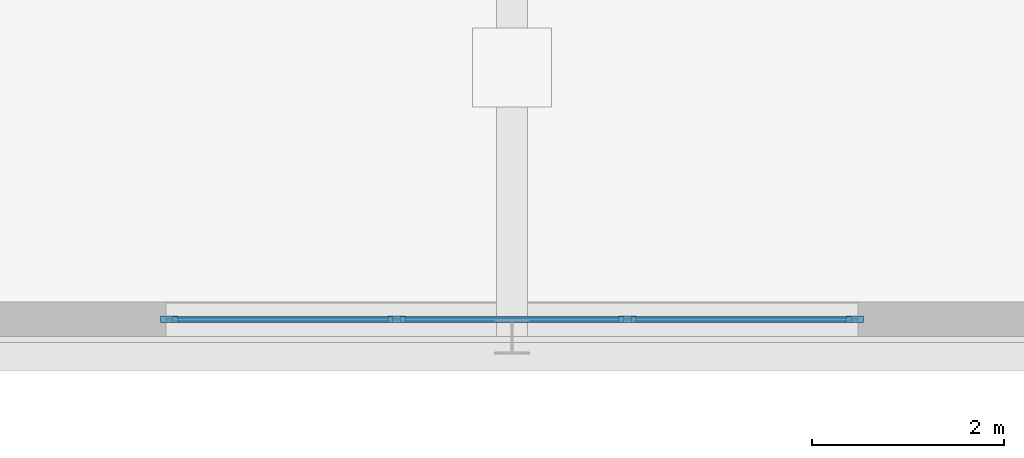
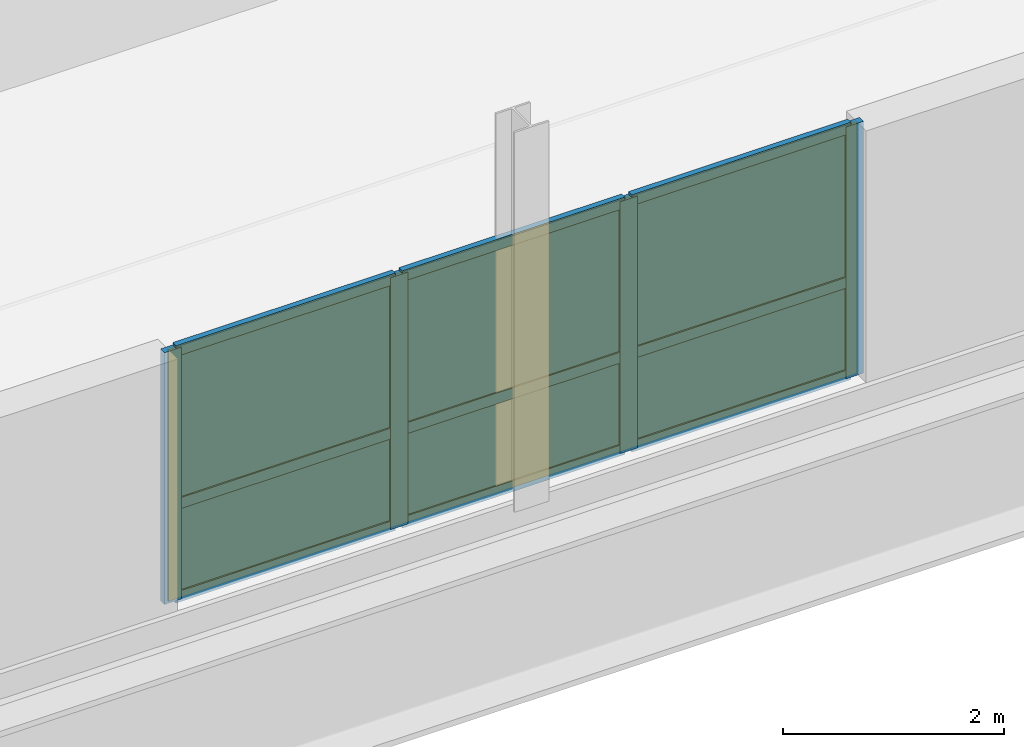
# One storey, part 10 of 17: 13 members, 6 plates, 1 curtain wall.
"""IFC4 building model written with IfcOpenShell, lengths in metres."""

from ifc_helpers import new_model, si_unit, direction, frame, frame_2d, origin, origin_2d, place, context, subcontext, project, spatial, rectangle, extrude, source, transform, mapped, material, layer, layer_set, material_profile, profile_set, type_object, type_shapes, element, aggregate, save


model = new_model("IFC4")

# Units and contexts
model_context = context("Model", 3, precision=1e-05, world=origin(), true_north=direction((0.0, 1.0)))
body_context = subcontext(model_context, "Body", "Model", "MODEL_VIEW")
ifc_project = project(units=[si_unit("LENGTHUNIT", "METRE"), si_unit("AREAUNIT", "SQUARE_METRE"), si_unit("VOLUMEUNIT", "CUBIC_METRE"), si_unit("PLANEANGLEUNIT", "RADIAN"), si_unit("MASSUNIT", "GRAM", prefix="KILO")], contexts=[model_context])

# Member
ifc_material_1 = material(Name="Anodised aluminium 6063-T6", Category="aluminium")
ifc_material_profile_1 = material_profile(ifc_material_1, rectangle(XDim=0.070068359375, YDim=0.179931640625, at=origin_2d()), Name="ALU-MULL-70x180")
ifc_profile_set_1 = profile_set([ifc_material_profile_1], Name="Anodised aluminium 6063-T6")
member_type_1 = type_object("IfcMemberType", Name="CWM-2", PredefinedType="MULLION", material=ifc_profile_set_1)
site_placement = place(None, origin())
building_placement = place(site_placement, origin())
storey_placement = place(building_placement, frame((0.0, 0.0, 23.0)))
member_1_placement = place(storey_placement, frame((-3.56494140625, -25.820068359375, 0.0), z_axis=(0.0, 0.0, 1.0), x_axis=(0.0, 1.0, 0.0)))
member_1 = element("IfcMember", 1, at=member_1_placement, type_object=member_type_1, Name="CWS-2 mullion 1", PredefinedType="MULLION", context=body_context, shape_type="SweptSolid", body=[
    extrude(rectangle(XDim=0.070068359375, YDim=0.179931640625, at=origin_2d()), origin(), (0.0, 0.0, 1.0), 2.784912109375),
])

member_2_placement = place(storey_placement, frame((-1.199951171875, -25.820068359375, 0.0), z_axis=(0.0, 0.0, 1.0), x_axis=(0.0, 1.0, 0.0)))
member_2 = element("IfcMember", 2, at=member_2_placement, type_object=member_type_1, Name="CWS-2 mullion 2", PredefinedType="MULLION", context=body_context, shape_type="SweptSolid", body=[
    extrude(rectangle(XDim=0.070068359375, YDim=0.179931640625, at=origin_2d()), origin(), (0.0, 0.0, 1.0), 2.784912109375),
])

member_3_placement = place(storey_placement, frame((1.199951171875, -25.820068359375, 0.0), z_axis=(0.0, 0.0, 1.0), x_axis=(0.0, 1.0, 0.0)))
member_3 = element("IfcMember", 3, at=member_3_placement, type_object=member_type_1, Name="CWS-2 mullion 3", PredefinedType="MULLION", context=body_context, shape_type="SweptSolid", body=[
    extrude(rectangle(XDim=0.070068359375, YDim=0.179931640625, at=origin_2d()), origin(), (0.0, 0.0, 1.0), 2.784912109375),
])

member_4_placement = place(storey_placement, frame((3.56494140625, -25.820068359375, 0.0), z_axis=(0.0, 0.0, 1.0), x_axis=(0.0, 1.0, 0.0)))
member_4 = element("IfcMember", 4, at=member_4_placement, type_object=member_type_1, Name="CWS-2 mullion 4", PredefinedType="MULLION", context=body_context, shape_type="SweptSolid", body=[
    extrude(rectangle(XDim=0.070068359375, YDim=0.179931640625, at=origin_2d()), origin(), (0.0, 0.0, 1.0), 2.784912109375),
])

ifc_material_profile_2 = material_profile(ifc_material_1, rectangle(XDim=0.06005859375, YDim=0.1201171875, at=origin_2d()), Name="ALU-TRAN-60x120")
ifc_profile_set_2 = profile_set([ifc_material_profile_2], Name="Anodised aluminium 6063-T6")
member_type_2 = type_object("IfcMemberType", Name="CWT-2", PredefinedType="USERDEFINED", material=ifc_profile_set_2)
member_5_placement = place(storey_placement, frame((-3.530029296875, -25.820068359375, 0.030029296875), z_axis=(1.0, 0.0, 0.0), x_axis=(0.0, 1.0, 0.0)))
member_5 = element("IfcMember", 5, at=member_5_placement, type_object=member_type_2, Name="CWS-2 transom 1.1", ObjectType="TRANSOM", PredefinedType="USERDEFINED", context=body_context, shape_type="SweptSolid", body=[
    extrude(rectangle(XDim=0.06005859375, YDim=0.1201171875, at=origin_2d()), origin(), (0.0, 0.0, 1.0), 2.294921875),
])

member_6_placement = place(storey_placement, frame((-3.530029296875, -25.820068359375, 1.058349609375), z_axis=(1.0, 0.0, 0.0), x_axis=(0.0, 1.0, 0.0)))
member_6 = element("IfcMember", 6, at=member_6_placement, type_object=member_type_2, Name="CWS-2 transom 1.2", ObjectType="TRANSOM", PredefinedType="USERDEFINED", context=body_context, shape_type="SweptSolid", body=[
    extrude(rectangle(XDim=0.06005859375, YDim=0.1201171875, at=origin_2d()), origin(), (0.0, 0.0, 1.0), 2.294921875),
])

member_7_placement = place(storey_placement, frame((-3.530029296875, -25.820068359375, 2.7548828125), z_axis=(1.0, 0.0, 0.0), x_axis=(0.0, 1.0, 0.0)))
member_7 = element("IfcMember", 7, at=member_7_placement, type_object=member_type_2, Name="CWS-2 transom 1.3", ObjectType="TRANSOM", PredefinedType="USERDEFINED", context=body_context, shape_type="SweptSolid", body=[
    extrude(rectangle(XDim=0.06005859375, YDim=0.1201171875, at=origin_2d()), origin(), (0.0, 0.0, 1.0), 2.294921875),
])

member_8_placement = place(storey_placement, frame((-1.1650390625, -25.820068359375, 0.030029296875), z_axis=(1.0, 0.0, 0.0), x_axis=(0.0, 1.0, 0.0)))
member_8 = element("IfcMember", 8, at=member_8_placement, type_object=member_type_2, Name="CWS-2 transom 2.1", ObjectType="TRANSOM", PredefinedType="USERDEFINED", context=body_context, shape_type="SweptSolid", body=[
    extrude(rectangle(XDim=0.06005859375, YDim=0.1201171875, at=origin_2d()), origin(), (0.0, 0.0, 1.0), 2.330078125),
])

member_9_placement = place(storey_placement, frame((-1.1650390625, -25.820068359375, 1.058349609375), z_axis=(1.0, 0.0, 0.0), x_axis=(0.0, 1.0, 0.0)))
member_9 = element("IfcMember", 9, at=member_9_placement, type_object=member_type_2, Name="CWS-2 transom 2.2", ObjectType="TRANSOM", PredefinedType="USERDEFINED", context=body_context, shape_type="SweptSolid", body=[
    extrude(rectangle(XDim=0.06005859375, YDim=0.1201171875, at=origin_2d()), origin(), (0.0, 0.0, 1.0), 2.330078125),
])

member_10_placement = place(storey_placement, frame((-1.1650390625, -25.820068359375, 2.7548828125), z_axis=(1.0, 0.0, 0.0), x_axis=(0.0, 1.0, 0.0)))
member_10 = element("IfcMember", 10, at=member_10_placement, type_object=member_type_2, Name="CWS-2 transom 2.3", ObjectType="TRANSOM", PredefinedType="USERDEFINED", context=body_context, shape_type="SweptSolid", body=[
    extrude(rectangle(XDim=0.06005859375, YDim=0.1201171875, at=origin_2d()), origin(), (0.0, 0.0, 1.0), 2.330078125),
])

member_11_placement = place(storey_placement, frame((1.235107421875, -25.820068359375, 0.030029296875), z_axis=(1.0, 0.0, 0.0), x_axis=(0.0, 1.0, 0.0)))
member_11 = element("IfcMember", 11, at=member_11_placement, type_object=member_type_2, Name="CWS-2 transom 3.1", ObjectType="TRANSOM", PredefinedType="USERDEFINED", context=body_context, shape_type="SweptSolid", body=[
    extrude(rectangle(XDim=0.06005859375, YDim=0.1201171875, at=origin_2d()), origin(), (0.0, 0.0, 1.0), 2.294921875),
])

member_12_placement = place(storey_placement, frame((1.235107421875, -25.820068359375, 1.058349609375), z_axis=(1.0, 0.0, 0.0), x_axis=(0.0, 1.0, 0.0)))
member_12 = element("IfcMember", 12, at=member_12_placement, type_object=member_type_2, Name="CWS-2 transom 3.2", ObjectType="TRANSOM", PredefinedType="USERDEFINED", context=body_context, shape_type="SweptSolid", body=[
    extrude(rectangle(XDim=0.06005859375, YDim=0.1201171875, at=origin_2d()), origin(), (0.0, 0.0, 1.0), 2.294921875),
])

member_13_placement = place(storey_placement, frame((1.235107421875, -25.820068359375, 2.7548828125), z_axis=(1.0, 0.0, 0.0), x_axis=(0.0, 1.0, 0.0)))
member_13 = element("IfcMember", 13, at=member_13_placement, type_object=member_type_2, Name="CWS-2 transom 3.3", ObjectType="TRANSOM", PredefinedType="USERDEFINED", context=body_context, shape_type="SweptSolid", body=[
    extrude(rectangle(XDim=0.06005859375, YDim=0.1201171875, at=origin_2d()), origin(), (0.0, 0.0, 1.0), 2.294921875),
])

# Plate
ifc_material_2 = material(Name="Insulated solar-control glass", Category="glass")
ifc_layer_1 = layer(ifc_material_2, 0.030029296875, Name="CWP-2")
ifc_layer_set_1 = layer_set([ifc_layer_1], Name="Insulated solar-control glass")
plate_type = type_object("IfcPlateType", Name="CWP-2", PredefinedType="CURTAIN_PANEL", material=ifc_layer_set_1)
shared_shape_1 = source(origin(), body_context, "Body", "SweptSolid", [
    extrude(rectangle(XDim=2.294921875, YDim=0.030029296875, at=origin_2d()), origin(), (0.0, 0.0, 1.0), 0.96826171875),
])
plate_1_placement = place(storey_placement, frame((-2.382568359375, -25.820068359375, 0.06005859375), z_axis=(0.0, 0.0, 1.0), x_axis=(1.0, 0.0, 0.0)))
plate_1 = element("IfcPlate", 14, at=plate_1_placement, type_object=plate_type, Name="CWS-2 panel 1.1", PredefinedType="CURTAIN_PANEL", context=body_context, shape_type="MappedRepresentation", body=[
    mapped(shared_shape_1, transform((0.0, 0.0, 0.0), scale=1.0)),
])

plate_2_placement = place(storey_placement, frame((2.382568359375, -25.820068359375, 0.06005859375), z_axis=(0.0, 0.0, 1.0), x_axis=(1.0, 0.0, 0.0)))
plate_2 = element("IfcPlate", 15, at=plate_2_placement, type_object=plate_type, Name="CWS-2 panel 3.1", PredefinedType="CURTAIN_PANEL", context=body_context, shape_type="MappedRepresentation", body=[
    mapped(shared_shape_1, transform((0.0, 0.0, 0.0), scale=1.0)),
])

shared_shape_2 = source(origin(), body_context, "Body", "SweptSolid", [
    extrude(rectangle(XDim=2.294921875, YDim=0.030029296875, at=origin_2d()), origin(), (0.0, 0.0, 1.0), 1.63671875),
])
plate_3_placement = place(storey_placement, frame((-2.382568359375, -25.820068359375, 1.08837890625), z_axis=(0.0, 0.0, 1.0), x_axis=(1.0, 0.0, 0.0)))
plate_3 = element("IfcPlate", 16, at=plate_3_placement, type_object=plate_type, Name="CWS-2 panel 1.2", PredefinedType="CURTAIN_PANEL", context=body_context, shape_type="MappedRepresentation", body=[
    mapped(shared_shape_2, transform((0.0, 0.0, 0.0), scale=1.0)),
])

plate_4_placement = place(storey_placement, frame((2.382568359375, -25.820068359375, 1.08837890625), z_axis=(0.0, 0.0, 1.0), x_axis=(1.0, 0.0, 0.0)))
plate_4 = element("IfcPlate", 17, at=plate_4_placement, type_object=plate_type, Name="CWS-2 panel 3.2", PredefinedType="CURTAIN_PANEL", context=body_context, shape_type="MappedRepresentation", body=[
    mapped(shared_shape_2, transform((0.0, 0.0, 0.0), scale=1.0)),
])

shared_shape_3 = source(origin(), body_context, "Body", "SweptSolid", [
    extrude(rectangle(XDim=2.330078125, YDim=0.030029296875, at=origin_2d()), origin(), (0.0, 0.0, 1.0), 0.96826171875),
])
plate_5_placement = place(storey_placement, frame((0.0, -25.820068359375, 0.06005859375), z_axis=(0.0, 0.0, 1.0), x_axis=(1.0, 0.0, 0.0)))
plate_5 = element("IfcPlate", 18, at=plate_5_placement, type_object=plate_type, Name="CWS-2 panel 2.1", PredefinedType="CURTAIN_PANEL", context=body_context, shape_type="MappedRepresentation", body=[
    mapped(shared_shape_3, transform((0.0, 0.0, 0.0), scale=1.0)),
])

shared_shape_4 = source(origin(), body_context, "Body", "SweptSolid", [
    extrude(rectangle(XDim=2.330078125, YDim=0.030029296875, at=origin_2d()), origin(), (0.0, 0.0, 1.0), 1.63671875),
])
type_shapes(plate_type, [shared_shape_1, shared_shape_2, shared_shape_3, shared_shape_4])
plate_6_placement = place(storey_placement, frame((0.0, -25.820068359375, 1.08837890625), z_axis=(0.0, 0.0, 1.0), x_axis=(1.0, 0.0, 0.0)))
plate_6 = element("IfcPlate", 19, at=plate_6_placement, type_object=plate_type, Name="CWS-2 panel 2.2", PredefinedType="CURTAIN_PANEL", context=body_context, shape_type="MappedRepresentation", body=[
    mapped(shared_shape_4, transform((0.0, 0.0, 0.0), scale=1.0)),
])

# Site, building, storey
site = spatial("IfcSite", under=ifc_project, at=site_placement, CompositionType="ELEMENT")
building = spatial("IfcBuilding", under=site, at=building_placement, Name="Nuvemarco Arch Tower", CompositionType="ELEMENT")
storey = spatial("IfcBuildingStorey", under=building, at=storey_placement, Name="L05", CompositionType="ELEMENT", Elevation=23.0)

# Curtain wall
ifc_layer_2 = layer(ifc_material_2, 0.179931640625, Name="CW-SYS-2")
ifc_layer_set_2 = layer_set([ifc_layer_2], Name="Insulated solar-control glass")
curtain_wall_type = type_object("IfcCurtainWallType", Name="CW-SYS-2", PredefinedType="NOTDEFINED", material=ifc_layer_set_2)
curtain_wall_placement = place(storey_placement, frame((-3.60009765625, -25.820068359375, 0.0), z_axis=(0.0, 0.0, 1.0), x_axis=(1.0, 0.0, 0.0)))
curtain_wall = element("IfcCurtainWall", 20, at=curtain_wall_placement, inside=storey, type_object=curtain_wall_type, Name="L05 curtain wall CWS-2", PredefinedType="NOTDEFINED", context=body_context, shape_type="SweptSolid", body=[
    extrude(rectangle(XDim=7.2001953125, YDim=0.02001953125, at=frame_2d((3.60009765625, 0.0))), origin(), (0.0, 0.0, 1.0), 2.784912109375),
])

aggregate(curtain_wall, [member_1, member_2, member_3, member_4, member_5, member_6, member_7, plate_1, plate_3, member_8, member_9, member_10, plate_5, plate_6, member_11, member_12, member_13, plate_2, plate_4])

save(model, "model.ifc")
